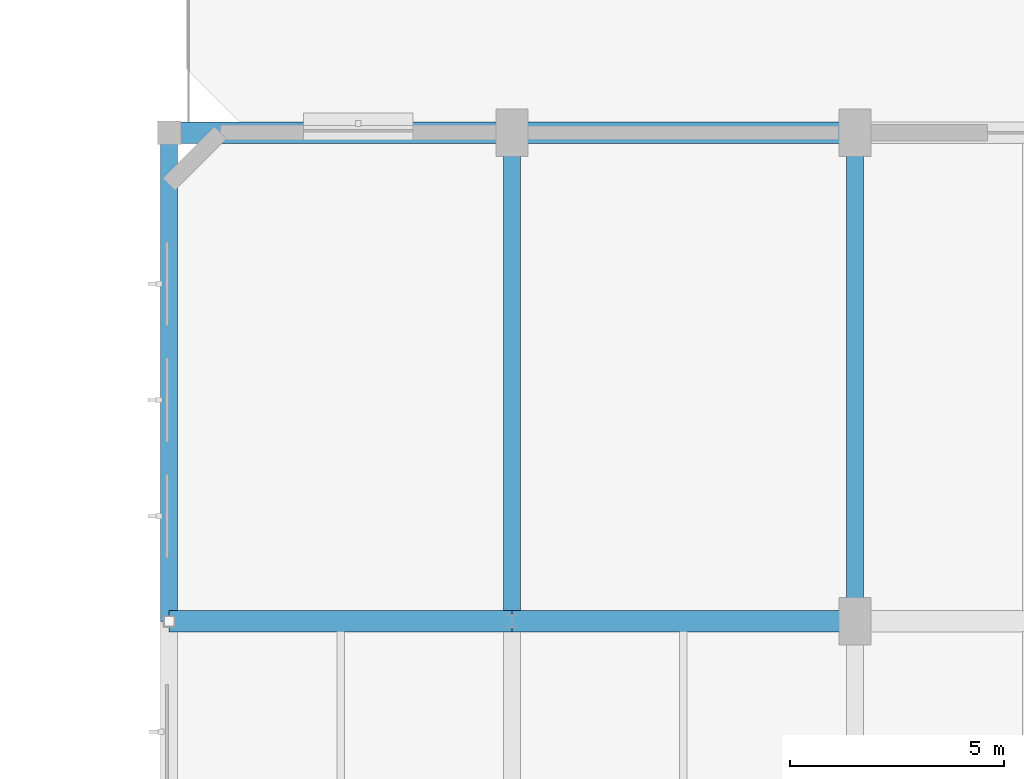
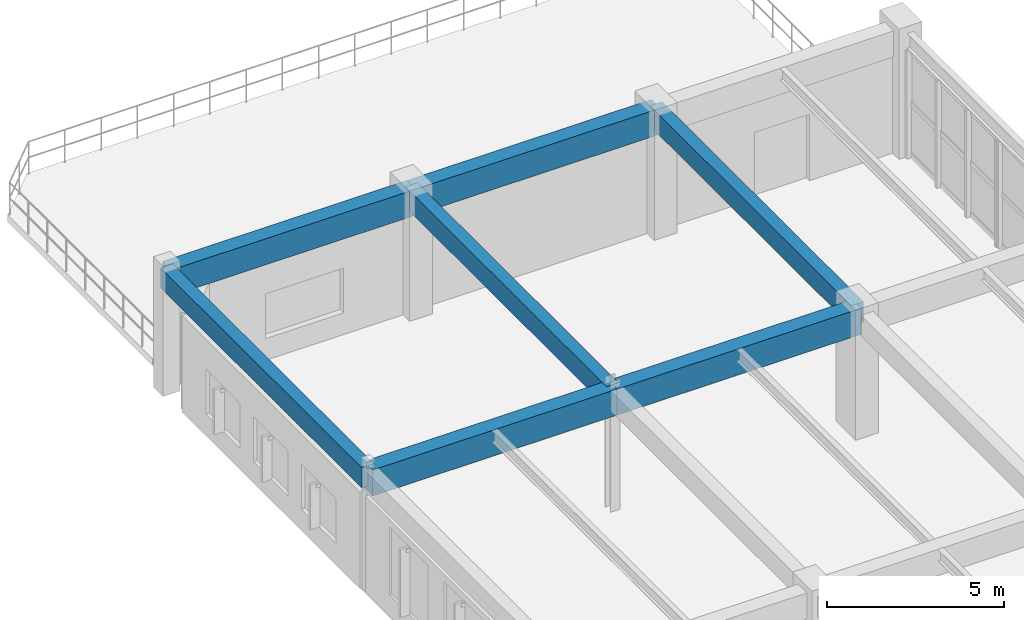
# One storey, part 35 of 80: 7 beams.
"""IFC4 building model written with IfcOpenShell, lengths in metres."""

import ifcopenshell
import ifcopenshell.guid

model = None  # the IFC model being written
_history = None  # IfcOwnerHistory: only IFC2X3 demands one
_inside = {}  # id of a spatial element -> (the spatial element, [elements in it])
_under = {}  # id of a project, library or spatial element -> (it, [spatial elements below it])
_declared = {}  # id of a project -> (the project, [libraries it declares])
_typed = {}  # id of a type object -> (the type object, [elements of that type])
_made_of = {}  # id of a material, layer set ... -> (it, [elements and type objects made of it])


def new_model(schema):
    """Start an empty IFC model of exactly this schema.

    Asked for "IFC4X3", IfcOpenShell would pick the latest addendum, in which some entities
    have other attributes; the version numbers below select the first issue.
    IFC2X3 requires an IfcOwnerHistory on every rooted entity: one is made here for all.
    """
    global model, _history
    if schema == "IFC4X3":
        model = ifcopenshell.file(schema_version=(4, 3, 0, 0))
    else:
        model = ifcopenshell.file(schema=schema)
    _inside.clear()
    _under.clear()
    _declared.clear()
    _typed.clear()
    _made_of.clear()
    _history = None
    if model.schema == "IFC2X3":
        org = make("IfcOrganization", Name="unknown")
        user = make(
            "IfcPersonAndOrganization",
            ThePerson=make("IfcPerson", FamilyName="unknown"),
            TheOrganization=org,
        )
        app = make(
            "IfcApplication",
            ApplicationDeveloper=org,
            Version="unknown",
            ApplicationFullName="unknown",
            ApplicationIdentifier="unknown",
        )
        _history = make(
            "IfcOwnerHistory",
            OwningUser=user,
            OwningApplication=app,
            ChangeAction="ADDED",
            CreationDate=0,
        )
    return model


def make(cls, **values):
    """One entity of the class cls with the attributes given. An attribute that is None is left unset."""
    return model.create_entity(
        cls, **{name: value for name, value in values.items() if value is not None}
    )


def rooted(cls, **values):
    """An entity with a GlobalId (a new one), such as an element, a storey or a relation."""
    return make(cls, GlobalId=ifcopenshell.guid.new(), OwnerHistory=_history, **values)


def si_unit(unit_type, name, prefix=None):
    """IfcSIUnit, for example si_unit("LENGTHUNIT", "METRE", prefix="MILLI")."""
    return make("IfcSIUnit", UnitType=unit_type, Prefix=prefix, Name=name)


def assignment(units):
    """IfcUnitAssignment: the units of a project."""
    return None if units is None else make("IfcUnitAssignment", Units=units)


def point(xyz):
    """IfcCartesianPoint."""
    return None if xyz is None else make("IfcCartesianPoint", Coordinates=xyz)


def direction(xyz):
    """IfcDirection."""
    return None if xyz is None else make("IfcDirection", DirectionRatios=xyz)


def frame(location, z_axis=None, x_axis=None):
    """IfcAxis2Placement3D, a coordinate frame: its origin and axes. An axis left out is left unset."""
    return make(
        "IfcAxis2Placement3D",
        Location=point(location),
        Axis=direction(z_axis),
        RefDirection=direction(x_axis),
    )


def frame_2d(location, x_axis=None):
    """IfcAxis2Placement2D, a coordinate frame in the plane: its origin and x axis."""
    return make(
        "IfcAxis2Placement2D", Location=point(location), RefDirection=direction(x_axis)
    )


def origin():
    """The frame at (0, 0, 0) with its axes left unset."""
    return frame((0.0, 0.0, 0.0))


def origin_2d():
    """The frame at (0, 0) in the plane with its x axis left unset."""
    return frame_2d((0.0, 0.0))


def place(relative_to, where):
    """IfcLocalPlacement: puts the frame where relative to a parent placement (None: the world)."""
    return make(
        "IfcLocalPlacement", PlacementRelTo=relative_to, RelativePlacement=where
    )


def context(
    kind, dimensions, precision=None, world=None, true_north=None, identifier=None
):
    """IfcGeometricRepresentationContext, for example the 3D "Model" context."""
    return make(
        "IfcGeometricRepresentationContext",
        ContextIdentifier=identifier,
        ContextType=kind,
        CoordinateSpaceDimension=dimensions,
        Precision=precision,
        WorldCoordinateSystem=world,
        TrueNorth=true_north,
    )


def subcontext(parent, identifier, kind, view, scale=None):
    """IfcGeometricRepresentationSubContext, for example "Body" below "Model"."""
    return make(
        "IfcGeometricRepresentationSubContext",
        ContextIdentifier=identifier,
        ContextType=kind,
        ParentContext=parent,
        TargetScale=scale,
        TargetView=view,
    )


def project(units=None, contexts=None):
    """IfcProject with its units and contexts."""
    return rooted(
        "IfcProject",
        Name="project",
        RepresentationContexts=contexts,
        UnitsInContext=assignment(units),
    )


def spatial(cls, under=None, at=None, **own):
    """A site, building, storey or space (cls), placed at a placement, below another one or the project."""
    s = rooted(cls, ObjectPlacement=at, **own)
    if under is not None:
        _under.setdefault(under.id(), (under, []))[1].append(s)
    return s


def profile(cls, at=None, kind="AREA", **sizes):
    """A parametric profile (cls). Its sizes go by their IFC names, for example OverallWidth=200.0."""
    return make(cls, ProfileType=kind, Position=at, **sizes)


def rectangle(**sizes):
    """IfcRectangleProfileDef."""
    return profile("IfcRectangleProfileDef", **sizes)


def extrude(swept, where, along, depth):
    """IfcExtrudedAreaSolid: the profile swept, set in the frame where, extruded along a direction by depth."""
    return make(
        "IfcExtrudedAreaSolid",
        SweptArea=swept,
        Position=where,
        ExtrudedDirection=direction(along),
        Depth=depth,
    )


def shape(context_of_items, identifier, shape_type, items):
    """IfcShapeRepresentation: the items that make up one representation, for example the "Body"."""
    return make(
        "IfcShapeRepresentation",
        ContextOfItems=context_of_items,
        RepresentationIdentifier=identifier,
        RepresentationType=shape_type,
        Items=items,
    )


def material(Name=None, Category=None):
    """IfcMaterial."""
    return make("IfcMaterial", Name=Name, Category=Category)


def material_profile(
    of_material, cross_section, Name=None, Category=None, Priority=None
):
    """IfcMaterialProfile: a cross section and its material."""
    return make(
        "IfcMaterialProfile",
        Name=Name,
        Material=of_material,
        Profile=cross_section,
        Priority=Priority,
        Category=Category,
    )


def profile_set(profiles, Name=None, composite=None):
    """IfcMaterialProfileSet."""
    return make(
        "IfcMaterialProfileSet",
        Name=Name,
        MaterialProfiles=profiles,
        CompositeProfile=composite,
    )


def made_of(thing, what):
    """Note that an element or type object is made of a material, layer set ...; save() writes the relation."""
    if what is not None:
        _made_of.setdefault(what.id(), (what, []))[1].append(thing)
    return thing


def type_object(cls, material=None, **own):
    """A type object (cls), such as IfcWallType, which elements share."""
    return made_of(rooted(cls, **own), material)


def element(
    cls,
    number,
    at=None,
    inside=None,
    cuts=None,
    type_object=None,
    material=None,
    context=None,
    identifier="Body",
    shape_type=None,
    held_by="IfcProductDefinitionShape",
    body=None,
    shapes=None,
    **own,
):
    """One element of the class cls, such as IfcWall. Its Tag is "e" and its number.

    at: its placement. inside: the storey or other place that contains it. cuts: it is an
    opening in that element (IfcRelVoidsElement). A single representation is given by context,
    identifier, shape_type and body (its items); several are given by shapes. held_by: the class
    of the entity that holds the representations. save() writes the other relations.
    """
    e = rooted(cls, Tag="e%d" % number, ObjectPlacement=at, **own)
    if body is not None:
        shapes = [shape(context, identifier, shape_type, body)]
    if shapes is not None:
        e.Representation = make(held_by, Representations=shapes)
    if inside is not None:
        _inside.setdefault(inside.id(), (inside, []))[1].append(e)
    if cuts is not None:
        rooted(
            "IfcRelVoidsElement", RelatingBuildingElement=cuts, RelatedOpeningElement=e
        )
    if type_object is not None:
        _typed.setdefault(type_object.id(), (type_object, []))[1].append(e)
    return made_of(e, material)


def aggregate(whole, parts):
    """IfcRelAggregates: a whole, such as a stair, and the parts it consists of."""
    return rooted("IfcRelAggregates", RelatingObject=whole, RelatedObjects=parts)


def save(model, path):
    """Write the relations noted so far, then the file.

    IfcRelAggregates (storeys below a building ...), IfcRelContainedInSpatialStructure (elements
    in a storey), IfcRelDefinesByType, IfcRelAssociatesMaterial and IfcRelDeclares: one each for
    every whole, place, type object, material and project.
    """
    for whole, parts in _under.values():
        aggregate(whole, parts)
    for where, things in _inside.values():
        rooted(
            "IfcRelContainedInSpatialStructure",
            RelatedElements=things,
            RelatingStructure=where,
        )
    for kind, things in _typed.values():
        rooted("IfcRelDefinesByType", RelatedObjects=things, RelatingType=kind)
    for what, things in _made_of.values():
        rooted("IfcRelAssociatesMaterial", RelatedObjects=things, RelatingMaterial=what)
    for by, libraries in _declared.values():
        rooted("IfcRelDeclares", RelatingContext=by, RelatedDefinitions=libraries)
    model.write(path)


model = new_model("IFC4")

# Units and contexts
model_context = context("Model", 3, precision=1e-05, world=origin(), true_north=direction((0.0, 1.0)))
body_context = subcontext(model_context, "Body", "Model", "MODEL_VIEW")
ifc_project = project(units=[si_unit("LENGTHUNIT", "METRE"), si_unit("AREAUNIT", "SQUARE_METRE"), si_unit("VOLUMEUNIT", "CUBIC_METRE"), si_unit("PLANEANGLEUNIT", "RADIAN"), si_unit("MASSUNIT", "GRAM", prefix="KILO"), si_unit("POWERUNIT", "WATT"), si_unit("THERMODYNAMICTEMPERATUREUNIT", "KELVIN")], contexts=[model_context])

# Site, building, storey
site_placement = place(None, origin())
site = spatial("IfcSite", under=ifc_project, at=site_placement, CompositionType="ELEMENT")
building_placement = place(site_placement, origin())
building = spatial("IfcBuilding", under=site, at=building_placement, Name="Kelmbourne Parkland Aquatics Centre", CompositionType="ELEMENT")
storey_placement = place(building_placement, frame((0.0, 0.0, 10.199951171875)))
storey = spatial("IfcBuildingStorey", under=building, at=storey_placement, Name="L02", CompositionType="ELEMENT", Elevation=10.199951171875)

# Beams
ifc_material = material(Name="Concrete C40/50", Category="concrete")
ifc_material_profile_1 = material_profile(ifc_material, rectangle(XDim=0.5, YDim=0.89990234375, at=origin_2d()), Name="RC 500x900")
ifc_profile_set_1 = profile_set([ifc_material_profile_1], Name="Concrete C40/50")
beam_type_1 = type_object("IfcBeamType", Name="BM-G03", PredefinedType="BEAM", material=ifc_profile_set_1)
for number, where, z_axis, x_axis, name in (
    (1, (16.0, 69.199951171875, 3.81005859375), (1.0, 0.0, 0.0), (0.0, 1.0, 0.0), "Primary girder C-D Grid 10 (L03)"),
    (2, (24.0, 69.199951171875, 3.81005859375), (1.0, 0.0, 0.0), (0.0, 1.0, 0.0), "Primary girder D-E Grid 10 (L03)"),
    (3, (16.0, 80.60009765625, 3.81005859375), (1.0, 0.0, 0.0), (0.0, 1.0, 0.0), "Primary girder C-D Grid 11 (L03)"),
    (4, (24.0, 80.60009765625, 3.81005859375), (1.0, 0.0, 0.0), (0.0, 1.0, 0.0), "Primary girder D-E Grid 11 (L03)"),
):
    element("IfcBeam", number, at=place(storey_placement, frame(where, z_axis=z_axis, x_axis=x_axis)), inside=storey, type_object=beam_type_1, Name=name, PredefinedType="BEAM", context=body_context, shape_type="SweptSolid", body=[
        extrude(rectangle(XDim=0.5, YDim=0.89990234375, at=origin_2d()), origin(), (0.0, 0.0, 1.0), 8.0),
    ])
ifc_material_profile_2 = material_profile(ifc_material, rectangle(XDim=0.39990234375, YDim=0.699951171875, at=origin_2d()), Name="RC 400x700")
ifc_profile_set_2 = profile_set([ifc_material_profile_2], Name="Concrete C40/50")
beam_type_2 = type_object("IfcBeamType", Name="BM-G05", PredefinedType="BEAM", material=ifc_profile_set_2)
for number, where, z_axis, x_axis, name in (
    (5, (16.0, 69.199951171875, 3.91015625), (0.0, 1.0, 0.0), (-1.0, 0.0, 0.0), "Primary girder 10-11 Grid C (L03)"),
    (6, (24.0, 69.199951171875, 3.91015625), (0.0, 1.0, 0.0), (-1.0, 0.0, 0.0), "Primary girder 10-11 Grid D (L03)"),
    (7, (32.0, 69.199951171875, 3.91015625), (0.0, 1.0, 0.0), (-1.0, 0.0, 0.0), "Primary girder 10-11 Grid E (L03)"),
):
    element("IfcBeam", number, at=place(storey_placement, frame(where, z_axis=z_axis, x_axis=x_axis)), inside=storey, type_object=beam_type_2, Name=name, PredefinedType="BEAM", context=body_context, shape_type="SweptSolid", body=[
        extrude(rectangle(XDim=0.39990234375, YDim=0.699951171875, at=origin_2d()), origin(), (0.0, 0.0, 1.0), 11.400146484375),
    ])

save(model, "model.ifc")
